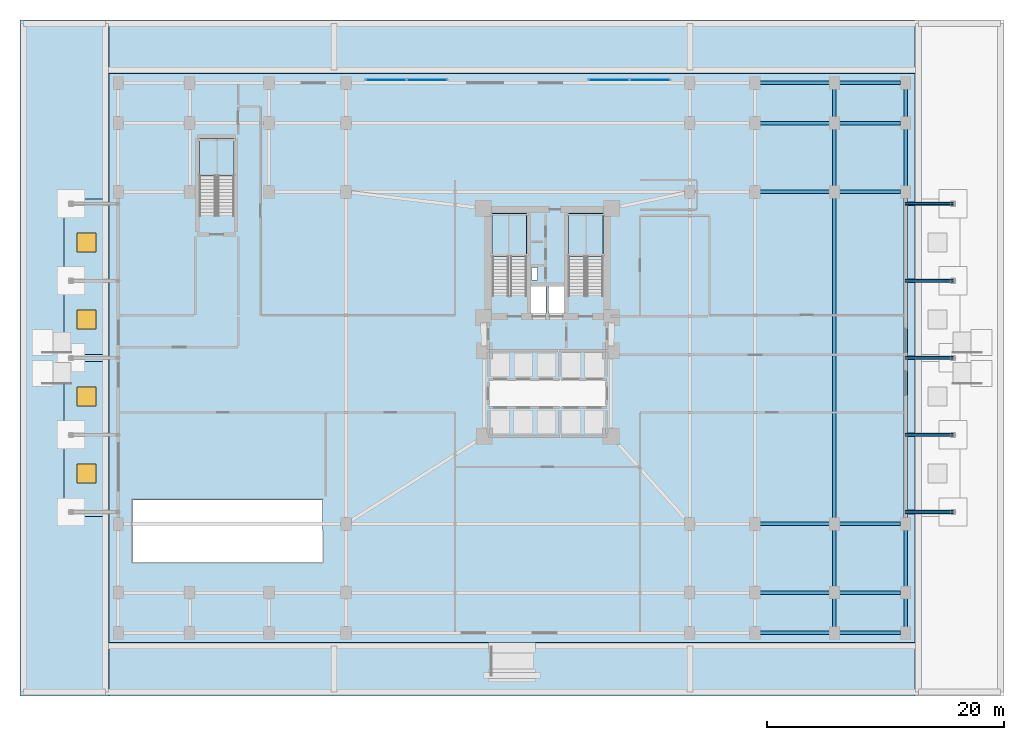
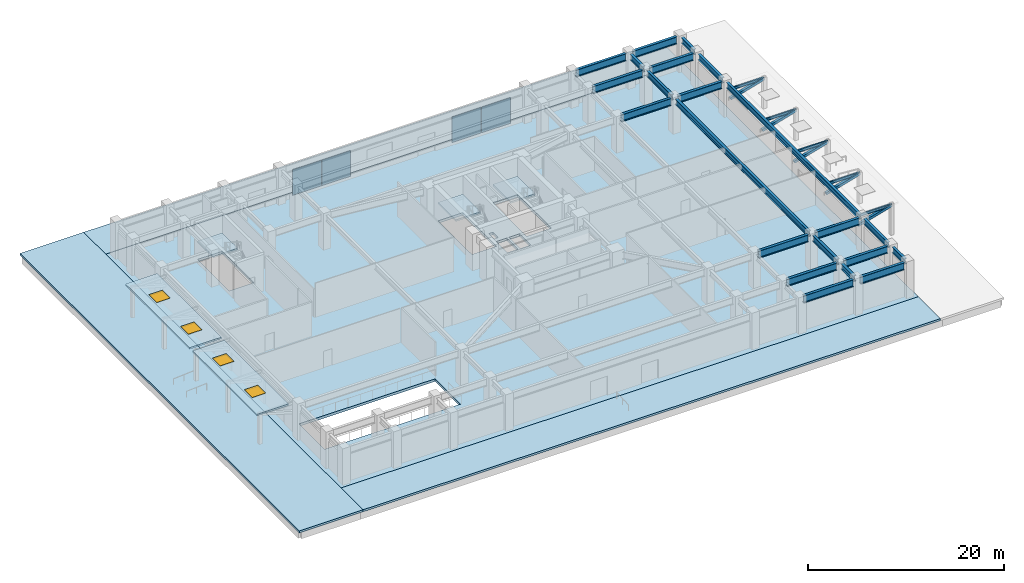
# One storey, part 12 of 23: 27 beams, 9 slabs, 5 members, 4 plates, 4 windows, 4 openings, 5 elements without a shape of their own.
"""IFC4 building model written with IfcOpenShell, lengths in metres."""

from ifc_helpers import new_model, si_unit, direction, frame, origin, origin_2d, place, context, subcontext, project, spatial, polyline, rectangle, hollow_rectangle, i_section, outline, extrude, source, transform, mapped, material, layer, layer_set, material_profile, profile_set, type_object, type_shapes, element, fill, aggregate, save


model = new_model("IFC4")

# Units and contexts
model_context = context("Model", 3, precision=1e-05, world=origin(), true_north=direction((0.0, 1.0)))
body_context = subcontext(model_context, "Body", "Model", "MODEL_VIEW")
ifc_project = project(units=[si_unit("LENGTHUNIT", "METRE"), si_unit("AREAUNIT", "SQUARE_METRE"), si_unit("VOLUMEUNIT", "CUBIC_METRE"), si_unit("PLANEANGLEUNIT", "RADIAN"), si_unit("MASSUNIT", "GRAM", prefix="KILO")], contexts=[model_context])

# Site, building, storey
site_placement = place(None, origin())
site = spatial("IfcSite", under=ifc_project, at=site_placement, CompositionType="ELEMENT")
building_placement = place(site_placement, origin())
building = spatial("IfcBuilding", under=site, at=building_placement, Name="Varnakorn Sky Granary", CompositionType="ELEMENT")
storey_placement = place(building_placement, origin())
storey = spatial("IfcBuildingStorey", under=building, at=storey_placement, Name="L00", CompositionType="ELEMENT", Elevation=0.0)

# Beams
ifc_material_1 = material(Name="Steel S355JR", Category="steel")
ifc_material_profile_1 = material_profile(ifc_material_1, i_section(OverallWidth=0.300048828125, OverallDepth=0.699951171875, WebThickness=0.01708984375, FlangeThickness=0.031982421875, at=origin_2d()), Name="HE 700 B")
ifc_profile_set_1 = profile_set([ifc_material_profile_1], Name="Steel S355JR")
beam_type_1 = type_object("IfcBeamType", Name="BM-PG-700", PredefinedType="T_BEAM", material=ifc_profile_set_1)
beam_1_placement = place(storey_placement, frame((27.199951171875, -22.780029296875, 3.929931640625), z_axis=(0.0, 1.0, 0.0), x_axis=(-1.0, 0.0, 0.0)))
element("IfcBeam", 1, at=beam_1_placement, inside=storey, type_object=beam_type_1, Name="Podium Y-Girder GY66 L00", PredefinedType="T_BEAM", context=body_context, shape_type="SweptSolid", body=[
    extrude(i_section(OverallWidth=0.300048828125, OverallDepth=0.699951171875, WebThickness=0.01708984375, FlangeThickness=0.031982421875, at=origin_2d()), origin(), (0.0, 0.0, 1.0), 2.56005859375),
])
beam_2_placement = place(storey_placement, frame((27.199951171875, -19.3798828125, 3.929931640625), z_axis=(0.0, 1.0, 0.0), x_axis=(-1.0, 0.0, 0.0)))
element("IfcBeam", 2, at=beam_2_placement, inside=storey, type_object=beam_type_1, Name="Podium Y-Girder GY67 L00", PredefinedType="T_BEAM", context=body_context, shape_type="SweptSolid", body=[
    extrude(i_section(OverallWidth=0.300048828125, OverallDepth=0.699951171875, WebThickness=0.01708984375, FlangeThickness=0.031982421875, at=origin_2d()), origin(), (0.0, 0.0, 1.0), 4.9599609375),
])
beam_3_placement = place(storey_placement, frame((27.199951171875, -13.580078125, 3.929931640625), z_axis=(0.0, 1.0, 0.0), x_axis=(-1.0, 0.0, 0.0)))
element("IfcBeam", 3, at=beam_3_placement, inside=storey, type_object=beam_type_1, Name="Podium Y-Girder GY68 L00", PredefinedType="T_BEAM", context=body_context, shape_type="SweptSolid", body=[
    extrude(i_section(OverallWidth=0.300048828125, OverallDepth=0.699951171875, WebThickness=0.01708984375, FlangeThickness=0.031982421875, at=origin_2d()), origin(), (0.0, 0.0, 1.0), 27.16015625),
])
beam_4_placement = place(storey_placement, frame((27.199951171875, 14.419921875, 3.929931640625), z_axis=(0.0, 1.0, 0.0), x_axis=(-1.0, 0.0, 0.0)))
element("IfcBeam", 4, at=beam_4_placement, inside=storey, type_object=beam_type_1, Name="Podium Y-Girder GY69 L00", PredefinedType="T_BEAM", context=body_context, shape_type="SweptSolid", body=[
    extrude(i_section(OverallWidth=0.300048828125, OverallDepth=0.699951171875, WebThickness=0.01708984375, FlangeThickness=0.031982421875, at=origin_2d()), origin(), (0.0, 0.0, 1.0), 4.9599609375),
])
for number, where, z_axis, x_axis, name in (
    (5, (27.199951171875, 20.219970703125, 3.929931640625), (0.0, 1.0, 0.0), (-1.0, 0.0, 0.0), "Podium Y-Girder GY70 L00"),
    (6, (33.199951171875, -22.780029296875, 3.929931640625), (0.0, 1.0, 0.0), (-1.0, 0.0, 0.0), "Podium Y-Girder GY71 L00"),
):
    element("IfcBeam", number, at=place(storey_placement, frame(where, z_axis=z_axis, x_axis=x_axis)), inside=storey, type_object=beam_type_1, Name=name, PredefinedType="T_BEAM", context=body_context, shape_type="SweptSolid", body=[
        extrude(i_section(OverallWidth=0.300048828125, OverallDepth=0.699951171875, WebThickness=0.01708984375, FlangeThickness=0.031982421875, at=origin_2d()), origin(), (0.0, 0.0, 1.0), 2.56005859375),
    ])
beam_5_placement = place(storey_placement, frame((33.199951171875, -19.3798828125, 3.929931640625), z_axis=(0.0, 1.0, 0.0), x_axis=(-1.0, 0.0, 0.0)))
element("IfcBeam", 7, at=beam_5_placement, inside=storey, type_object=beam_type_1, Name="Podium Y-Girder GY72 L00", PredefinedType="T_BEAM", context=body_context, shape_type="SweptSolid", body=[
    extrude(i_section(OverallWidth=0.300048828125, OverallDepth=0.699951171875, WebThickness=0.01708984375, FlangeThickness=0.031982421875, at=origin_2d()), origin(), (0.0, 0.0, 1.0), 4.9599609375),
])
beam_6_placement = place(storey_placement, frame((33.199951171875, -13.580078125, 3.929931640625), z_axis=(0.0, 1.0, 0.0), x_axis=(-1.0, 0.0, 0.0)))
element("IfcBeam", 8, at=beam_6_placement, inside=storey, type_object=beam_type_1, Name="Podium Y-Girder GY73 L00", PredefinedType="T_BEAM", context=body_context, shape_type="SweptSolid", body=[
    extrude(i_section(OverallWidth=0.300048828125, OverallDepth=0.699951171875, WebThickness=0.01708984375, FlangeThickness=0.031982421875, at=origin_2d()), origin(), (0.0, 0.0, 1.0), 27.16015625),
])
beam_7_placement = place(storey_placement, frame((33.199951171875, 14.419921875, 3.929931640625), z_axis=(0.0, 1.0, 0.0), x_axis=(-1.0, 0.0, 0.0)))
element("IfcBeam", 9, at=beam_7_placement, inside=storey, type_object=beam_type_1, Name="Podium Y-Girder GY74 L00", PredefinedType="T_BEAM", context=body_context, shape_type="SweptSolid", body=[
    extrude(i_section(OverallWidth=0.300048828125, OverallDepth=0.699951171875, WebThickness=0.01708984375, FlangeThickness=0.031982421875, at=origin_2d()), origin(), (0.0, 0.0, 1.0), 4.9599609375),
])
beam_8_placement = place(storey_placement, frame((33.199951171875, 20.219970703125, 3.929931640625), z_axis=(0.0, 1.0, 0.0), x_axis=(-1.0, 0.0, 0.0)))
element("IfcBeam", 10, at=beam_8_placement, inside=storey, type_object=beam_type_1, Name="Podium Y-Girder GY75 L00", PredefinedType="T_BEAM", context=body_context, shape_type="SweptSolid", body=[
    extrude(i_section(OverallWidth=0.300048828125, OverallDepth=0.699951171875, WebThickness=0.01708984375, FlangeThickness=0.031982421875, at=origin_2d()), origin(), (0.0, 0.0, 1.0), 2.56005859375),
])
ifc_material_profile_2 = material_profile(ifc_material_1, i_section(OverallWidth=0.300048828125, OverallDepth=0.89990234375, WebThickness=0.0185546875, FlangeThickness=0.034912109375, at=origin_2d()), Name="HE 900 B")
ifc_profile_set_2 = profile_set([ifc_material_profile_2], Name="Steel S355JR")
beam_type_2 = type_object("IfcBeamType", Name="BM-PG-900", PredefinedType="BEAM", material=ifc_profile_set_2)
beam_9_placement = place(storey_placement, frame((20.919921875, -23.199951171875, 3.830078125), z_axis=(1.0, 0.0, 0.0), x_axis=(0.0, 1.0, 0.0)))
element("IfcBeam", 11, at=beam_9_placement, inside=storey, type_object=beam_type_2, Name="Podium X-Girder GX06 L00", PredefinedType="BEAM", context=body_context, shape_type="SweptSolid", body=[
    extrude(i_section(OverallWidth=0.300048828125, OverallDepth=0.89990234375, WebThickness=0.0185546875, FlangeThickness=0.034912109375, at=origin_2d()), origin(), (0.0, 0.0, 1.0), 5.860107421875),
])
beam_10_placement = place(storey_placement, frame((27.6201171875, -23.199951171875, 3.830078125), z_axis=(1.0, 0.0, 0.0), x_axis=(0.0, 1.0, 0.0)))
element("IfcBeam", 12, at=beam_10_placement, inside=storey, type_object=beam_type_2, Name="Podium X-Girder GX07 L00", PredefinedType="BEAM", context=body_context, shape_type="SweptSolid", body=[
    extrude(i_section(OverallWidth=0.300048828125, OverallDepth=0.89990234375, WebThickness=0.0185546875, FlangeThickness=0.034912109375, at=origin_2d()), origin(), (0.0, 0.0, 1.0), 5.159912109375),
])
beam_11_placement = place(storey_placement, frame((20.919921875, -19.800048828125, 3.830078125), z_axis=(1.0, 0.0, 0.0), x_axis=(0.0, 1.0, 0.0)))
element("IfcBeam", 13, at=beam_11_placement, inside=storey, type_object=beam_type_2, Name="Podium X-Girder GX13 L00", PredefinedType="BEAM", context=body_context, shape_type="SweptSolid", body=[
    extrude(i_section(OverallWidth=0.300048828125, OverallDepth=0.89990234375, WebThickness=0.0185546875, FlangeThickness=0.034912109375, at=origin_2d()), origin(), (0.0, 0.0, 1.0), 5.860107421875),
])
beam_12_placement = place(storey_placement, frame((27.6201171875, -19.800048828125, 3.830078125), z_axis=(1.0, 0.0, 0.0), x_axis=(0.0, 1.0, 0.0)))
element("IfcBeam", 14, at=beam_12_placement, inside=storey, type_object=beam_type_2, Name="Podium X-Girder GX14 L00", PredefinedType="BEAM", context=body_context, shape_type="SweptSolid", body=[
    extrude(i_section(OverallWidth=0.300048828125, OverallDepth=0.89990234375, WebThickness=0.0185546875, FlangeThickness=0.034912109375, at=origin_2d()), origin(), (0.0, 0.0, 1.0), 5.159912109375),
])
beam_13_placement = place(storey_placement, frame((20.919921875, -14.0, 3.830078125), z_axis=(1.0, 0.0, 0.0), x_axis=(0.0, 1.0, 0.0)))
element("IfcBeam", 15, at=beam_13_placement, inside=storey, type_object=beam_type_2, Name="Podium X-Girder GX18 L00", PredefinedType="BEAM", context=body_context, shape_type="SweptSolid", body=[
    extrude(i_section(OverallWidth=0.300048828125, OverallDepth=0.89990234375, WebThickness=0.0185546875, FlangeThickness=0.034912109375, at=origin_2d()), origin(), (0.0, 0.0, 1.0), 5.860107421875),
])
beam_14_placement = place(storey_placement, frame((27.6201171875, -14.0, 3.830078125), z_axis=(1.0, 0.0, 0.0), x_axis=(0.0, 1.0, 0.0)))
element("IfcBeam", 16, at=beam_14_placement, inside=storey, type_object=beam_type_2, Name="Podium X-Girder GX19 L00", PredefinedType="BEAM", context=body_context, shape_type="SweptSolid", body=[
    extrude(i_section(OverallWidth=0.300048828125, OverallDepth=0.89990234375, WebThickness=0.0185546875, FlangeThickness=0.034912109375, at=origin_2d()), origin(), (0.0, 0.0, 1.0), 5.159912109375),
])
beam_15_placement = place(storey_placement, frame((20.919921875, 14.0, 3.830078125), z_axis=(1.0, 0.0, 0.0), x_axis=(0.0, 1.0, 0.0)))
element("IfcBeam", 17, at=beam_15_placement, inside=storey, type_object=beam_type_2, Name="Podium X-Girder GX24 L00", PredefinedType="BEAM", context=body_context, shape_type="SweptSolid", body=[
    extrude(i_section(OverallWidth=0.300048828125, OverallDepth=0.89990234375, WebThickness=0.0185546875, FlangeThickness=0.034912109375, at=origin_2d()), origin(), (0.0, 0.0, 1.0), 5.860107421875),
])
beam_16_placement = place(storey_placement, frame((27.6201171875, 14.0, 3.830078125), z_axis=(1.0, 0.0, 0.0), x_axis=(0.0, 1.0, 0.0)))
element("IfcBeam", 18, at=beam_16_placement, inside=storey, type_object=beam_type_2, Name="Podium X-Girder GX25 L00", PredefinedType="BEAM", context=body_context, shape_type="SweptSolid", body=[
    extrude(i_section(OverallWidth=0.300048828125, OverallDepth=0.89990234375, WebThickness=0.0185546875, FlangeThickness=0.034912109375, at=origin_2d()), origin(), (0.0, 0.0, 1.0), 5.159912109375),
])
beam_17_placement = place(storey_placement, frame((20.919921875, 19.800048828125, 3.830078125), z_axis=(1.0, 0.0, 0.0), x_axis=(0.0, 1.0, 0.0)))
element("IfcBeam", 19, at=beam_17_placement, inside=storey, type_object=beam_type_2, Name="Podium X-Girder GX31 L00", PredefinedType="BEAM", context=body_context, shape_type="SweptSolid", body=[
    extrude(i_section(OverallWidth=0.300048828125, OverallDepth=0.89990234375, WebThickness=0.0185546875, FlangeThickness=0.034912109375, at=origin_2d()), origin(), (0.0, 0.0, 1.0), 5.860107421875),
])
beam_18_placement = place(storey_placement, frame((27.6201171875, 19.800048828125, 3.830078125), z_axis=(1.0, 0.0, 0.0), x_axis=(0.0, 1.0, 0.0)))
element("IfcBeam", 20, at=beam_18_placement, inside=storey, type_object=beam_type_2, Name="Podium X-Girder GX32 L00", PredefinedType="BEAM", context=body_context, shape_type="SweptSolid", body=[
    extrude(i_section(OverallWidth=0.300048828125, OverallDepth=0.89990234375, WebThickness=0.0185546875, FlangeThickness=0.034912109375, at=origin_2d()), origin(), (0.0, 0.0, 1.0), 5.159912109375),
])
beam_19_placement = place(storey_placement, frame((20.919921875, 23.199951171875, 3.830078125), z_axis=(1.0, 0.0, 0.0), x_axis=(0.0, 1.0, 0.0)))
element("IfcBeam", 21, at=beam_19_placement, inside=storey, type_object=beam_type_2, Name="Podium X-Girder GX38 L00", PredefinedType="BEAM", context=body_context, shape_type="SweptSolid", body=[
    extrude(i_section(OverallWidth=0.300048828125, OverallDepth=0.89990234375, WebThickness=0.0185546875, FlangeThickness=0.034912109375, at=origin_2d()), origin(), (0.0, 0.0, 1.0), 5.860107421875),
])
beam_20_placement = place(storey_placement, frame((27.6201171875, 23.199951171875, 3.830078125), z_axis=(1.0, 0.0, 0.0), x_axis=(0.0, 1.0, 0.0)))
element("IfcBeam", 22, at=beam_20_placement, inside=storey, type_object=beam_type_2, Name="Podium X-Girder GX39 L00", PredefinedType="BEAM", context=body_context, shape_type="SweptSolid", body=[
    extrude(i_section(OverallWidth=0.300048828125, OverallDepth=0.89990234375, WebThickness=0.0185546875, FlangeThickness=0.034912109375, at=origin_2d()), origin(), (0.0, 0.0, 1.0), 5.159912109375),
])
ifc_material_profile_3 = material_profile(ifc_material_1, i_section(OverallWidth=0.159912109375, OverallDepth=0.330078125, WebThickness=0.007568359375, FlangeThickness=0.011474609375, at=origin_2d()), Name="IPE 330")
ifc_profile_set_3 = profile_set([ifc_material_profile_3], Name="Steel S355JR")
beam_type_3 = type_object("IfcBeamType", Name="BM-SEC-Z4", PredefinedType="BEAM", material=ifc_profile_set_3)
for number, where, z_axis, x_axis, name in (
    (23, (37.199951171875, -13.0, 3.68505859375), (-1.0, 0.0, 0.0), (0.0, -1.0, 0.0), "Plaza Canopy Tie Beam 6"),
    (24, (37.199951171875, -6.5, 3.68505859375), (-1.0, 0.0, 0.0), (0.0, -1.0, 0.0), "Plaza Canopy Tie Beam 7"),
    (25, (37.199951171875, 0.0, 3.68505859375), (-1.0, 0.0, 0.0), (0.0, -1.0, 0.0), "Plaza Canopy Tie Beam 8"),
    (26, (37.199951171875, 6.5, 3.68505859375), (-1.0, 0.0, 0.0), (0.0, -1.0, 0.0), "Plaza Canopy Tie Beam 9"),
    (27, (37.199951171875, 13.0, 3.68505859375), (-1.0, 0.0, 0.0), (0.0, -1.0, 0.0), "Plaza Canopy Tie Beam 10"),
):
    element("IfcBeam", number, at=place(storey_placement, frame(where, z_axis=z_axis, x_axis=x_axis)), inside=storey, type_object=beam_type_3, Name=name, PredefinedType="BEAM", context=body_context, shape_type="SweptSolid", body=[
        extrude(i_section(OverallWidth=0.159912109375, OverallDepth=0.330078125, WebThickness=0.007568359375, FlangeThickness=0.011474609375, at=origin_2d()), origin(), (0.0, 0.0, 1.0), 4.0),
    ])

# Members
ifc_material_profile_4 = material_profile(ifc_material_1, hollow_rectangle(XDim=0.300048828125, YDim=0.300048828125, WallThickness=0.01611328125, at=origin_2d()), Name="SHS 300x300x16")
ifc_profile_set_4 = profile_set([ifc_material_profile_4], Name="Steel S355JR")
member_type = type_object("IfcMemberType", Name="MB-CAN-300", PredefinedType="STRUT", material=ifc_profile_set_4)
for number, where, z_axis, x_axis, name in (
    (28, (33.199951171875, -13.0, 2.550048828125), (0.962020905777, 0.0, 0.272975780698), (0.0, 1.0, 0.0), "Plaza Canopy Raker Strut 6"),
    (29, (33.199951171875, -6.5, 2.550048828125), (0.962020905777, 0.0, 0.272975780698), (0.0, 1.0, 0.0), "Plaza Canopy Raker Strut 7"),
    (30, (33.199951171875, 0.0, 2.550048828125), (0.962020905777, 0.0, 0.272975780698), (0.0, 1.0, 0.0), "Plaza Canopy Raker Strut 8"),
    (31, (33.199951171875, 6.5, 2.550048828125), (0.962020905777, 0.0, 0.272975780698), (0.0, 1.0, 0.0), "Plaza Canopy Raker Strut 9"),
    (32, (33.199951171875, 13.0, 2.550048828125), (0.962020905777, 0.0, 0.272975780698), (0.0, 1.0, 0.0), "Plaza Canopy Raker Strut 10"),
):
    element("IfcMember", number, at=place(storey_placement, frame(where, z_axis=z_axis, x_axis=x_axis)), inside=storey, type_object=member_type, Name=name, PredefinedType="STRUT", context=body_context, shape_type="SweptSolid", body=[
        extrude(hollow_rectangle(XDim=0.300048828125, YDim=0.300048828125, WallThickness=0.01611328125, at=origin_2d()), origin(), (0.0, 0.0, 1.0), 4.157958984375),
    ])

# Stair, slab
ifc_material_2 = material(Name="Concrete C40/50", Category="concrete")
stair_type = type_object("IfcStairType", Name="ST-MAIN-ASSEMBLY", PredefinedType="HALF_TURN_STAIR", material=ifc_material_2)
stair_1_placement = place(storey_placement, origin())
stair_1 = element("IfcStair", 33, at=stair_1_placement, inside=storey, type_object=stair_type, Name="L00 Protected Exit Stair ST-1", PredefinedType="HALF_TURN_STAIR")
ifc_layer_1 = layer(ifc_material_2, 0.199951171875, Name="Concrete C40/50")
ifc_layer_set_1 = layer_set([ifc_layer_1], Name="Concrete C40/50")
slab_type_1 = type_object("IfcSlabType", Name="ST-MAIN-LAND", PredefinedType="LANDING", material=ifc_layer_set_1)
slab_1_placement = place(storey_placement, frame((0.0, 0.0, 2.10009765625)))
slab_1 = element("IfcSlab", 34, at=slab_1_placement, type_object=slab_type_1, Name="ST-1 landing 1", PredefinedType="LANDING", context=body_context, shape_type="SweptSolid", body=[
    extrude(outline(polyline([(1.239990234375, 8.56005859375), (1.239990234375, 12.179931640625), (-1.669921875, 12.179931640625), (-1.669921875, 8.56005859375), (1.239990234375, 8.56005859375)])), origin(), (0.0, 0.0, 1.0), 0.199951171875),
])
aggregate(stair_1, [slab_1])

stair_2_placement = place(storey_placement, origin())
stair_2 = element("IfcStair", 35, at=stair_2_placement, inside=storey, type_object=stair_type, Name="L00 Protected Exit Stair ST-2", PredefinedType="HALF_TURN_STAIR")
slab_2_placement = place(storey_placement, frame((0.0, 0.0, 2.10009765625)))
slab_2 = element("IfcSlab", 36, at=slab_2_placement, type_object=slab_type_1, Name="ST-2 landing 1", PredefinedType="LANDING", context=body_context, shape_type="SweptSolid", body=[
    extrude(outline(polyline([(7.679931640625, 8.56005859375), (7.679931640625, 12.179931640625), (4.77001953125, 12.179931640625), (4.77001953125, 8.56005859375), (7.679931640625, 8.56005859375)])), origin(), (0.0, 0.0, 1.0), 0.199951171875),
])
aggregate(stair_2, [slab_2])

stair_3_placement = place(storey_placement, origin())
stair_3 = element("IfcStair", 37, at=stair_3_placement, inside=storey, type_object=stair_type, Name="L00 Podium and Basement Protected Exit Stair ST-B3", PredefinedType="HALF_TURN_STAIR")
slab_3_placement = place(storey_placement, frame((0.0, 0.0, 2.10009765625)))
slab_3 = element("IfcSlab", 38, at=slab_3_placement, type_object=slab_type_1, Name="ST-B3 landing 1", PredefinedType="LANDING", context=body_context, shape_type="SweptSolid", body=[
    extrude(outline(polyline([(-23.449951171875, 15.340087890625), (-23.449951171875, 18.5), (-26.360107421875, 18.5), (-26.360107421875, 15.340087890625), (-23.449951171875, 15.340087890625)])), origin(), (0.0, 0.0, 1.0), 0.199951171875),
])
aggregate(stair_3, [slab_3])

# Slab, openings, windows
ifc_material_3 = material(Name="Concrete C50/60", Category="concrete")
ifc_layer_2 = layer(ifc_material_3, 0.199951171875, Name="Concrete C50/60")
ifc_layer_set_2 = layer_set([ifc_layer_2], Name="Concrete C50/60")
slab_type_2 = type_object("IfcSlabType", Name="ST-SL-CAN-200", PredefinedType="ROOF", material=ifc_layer_set_2)
slab_4_placement = place(storey_placement, frame((0.0, 0.0, 3.85009765625)))
slab_4 = element("IfcSlab", 39, at=slab_4_placement, inside=storey, type_object=slab_type_2, Name="Entrance Canopy Roof Slab 1-1", PredefinedType="ROOF", context=body_context, shape_type="SweptSolid", body=[
    extrude(outline(polyline([(-37.800048828125, -13.39990234375), (-34.050048828125, -13.39990234375), (-34.050048828125, -0.300048828125), (-37.800048828125, -0.300048828125), (-37.800048828125, -13.39990234375)])), origin(), (0.0, 0.0, 1.0), 0.199951171875),
])
opening_1_placement = place(slab_4_placement, frame((-35.89990234375, -9.75, 0.0)))
opening_1 = element("IfcOpeningElement", 40, at=opening_1_placement, cuts=slab_4, Name="Opening SK-01", PredefinedType="OPENING", context=body_context, shape_type="SweptSolid", body=[
    extrude(rectangle(XDim=1.60009765625, YDim=1.60009765625, at=origin_2d()), frame((0.0, 0.0, -0.010009765625)), (0.0, 0.0, 1.0), 0.219970703125),
])
opening_2_placement = place(slab_4_placement, frame((-35.89990234375, -3.25, 0.0)))
opening_2 = element("IfcOpeningElement", 41, at=opening_2_placement, cuts=slab_4, Name="Opening SK-01", PredefinedType="OPENING", context=body_context, shape_type="SweptSolid", body=[
    extrude(rectangle(XDim=1.60009765625, YDim=1.60009765625, at=origin_2d()), frame((0.0, 0.0, -0.010009765625)), (0.0, 0.0, 1.0), 0.219970703125),
])
ifc_material_4 = material(Name="Low-E Tinted Laminated Glass", Category="glass")
window_type = type_object("IfcWindowType", Name="SK-CAN-2200", PartitioningType="SINGLE_PANEL", PredefinedType="SKYLIGHT", material=ifc_material_4)
window_1_placement = place(opening_1_placement, frame((0.0, 0.0, 0.14990234375)))
window_1 = element("IfcWindow", 42, at=window_1_placement, inside=storey, type_object=window_type, Name="Entrance Canopy Glazed Skylight 1-1", OverallHeight=1.60009765625, OverallWidth=1.60009765625, PartitioningType="SINGLE_PANEL", PredefinedType="SKYLIGHT", context=body_context, shape_type="SweptSolid", body=[
    extrude(rectangle(XDim=1.60009765625, YDim=1.60009765625, at=origin_2d()), origin(), (0.0, 0.0, 1.0), 0.050048828125),
])
fill(opening_1, window_1)
window_2_placement = place(opening_2_placement, frame((0.0, 0.0, 0.14990234375)))
window_2 = element("IfcWindow", 43, at=window_2_placement, inside=storey, type_object=window_type, Name="Entrance Canopy Glazed Skylight 1-2", OverallHeight=1.60009765625, OverallWidth=1.60009765625, PartitioningType="SINGLE_PANEL", PredefinedType="SKYLIGHT", context=body_context, shape_type="SweptSolid", body=[
    extrude(rectangle(XDim=1.60009765625, YDim=1.60009765625, at=origin_2d()), origin(), (0.0, 0.0, 1.0), 0.050048828125),
])
fill(opening_2, window_2)

slab_5_placement = place(storey_placement, frame((0.0, 0.0, 3.85009765625)))
slab_5 = element("IfcSlab", 44, at=slab_5_placement, inside=storey, type_object=slab_type_2, Name="Entrance Canopy Roof Slab 1-2", PredefinedType="ROOF", context=body_context, shape_type="SweptSolid", body=[
    extrude(outline(polyline([(-37.800048828125, 0.300048828125), (-34.050048828125, 0.300048828125), (-34.050048828125, 13.39990234375), (-37.800048828125, 13.39990234375), (-37.800048828125, 0.300048828125)])), origin(), (0.0, 0.0, 1.0), 0.199951171875),
])
opening_3_placement = place(slab_5_placement, frame((-35.89990234375, 3.25, 0.0)))
opening_3 = element("IfcOpeningElement", 45, at=opening_3_placement, cuts=slab_5, Name="Opening SK-01", PredefinedType="OPENING", context=body_context, shape_type="SweptSolid", body=[
    extrude(rectangle(XDim=1.60009765625, YDim=1.60009765625, at=origin_2d()), frame((0.0, 0.0, -0.010009765625)), (0.0, 0.0, 1.0), 0.219970703125),
])
opening_4_placement = place(slab_5_placement, frame((-35.89990234375, 9.75, 0.0)))
opening_4 = element("IfcOpeningElement", 46, at=opening_4_placement, cuts=slab_5, Name="Opening SK-01", PredefinedType="OPENING", context=body_context, shape_type="SweptSolid", body=[
    extrude(rectangle(XDim=1.60009765625, YDim=1.60009765625, at=origin_2d()), frame((0.0, 0.0, -0.010009765625)), (0.0, 0.0, 1.0), 0.219970703125),
])
window_3_placement = place(opening_3_placement, frame((0.0, 0.0, 0.14990234375)))
window_3 = element("IfcWindow", 47, at=window_3_placement, inside=storey, type_object=window_type, Name="Entrance Canopy Glazed Skylight 1-3", OverallHeight=1.60009765625, OverallWidth=1.60009765625, PartitioningType="SINGLE_PANEL", PredefinedType="SKYLIGHT", context=body_context, shape_type="SweptSolid", body=[
    extrude(rectangle(XDim=1.60009765625, YDim=1.60009765625, at=origin_2d()), origin(), (0.0, 0.0, 1.0), 0.050048828125),
])
fill(opening_3, window_3)
window_4_placement = place(opening_4_placement, frame((0.0, 0.0, 0.14990234375)))
window_4 = element("IfcWindow", 48, at=window_4_placement, inside=storey, type_object=window_type, Name="Entrance Canopy Glazed Skylight 1-4", OverallHeight=1.60009765625, OverallWidth=1.60009765625, PartitioningType="SINGLE_PANEL", PredefinedType="SKYLIGHT", context=body_context, shape_type="SweptSolid", body=[
    extrude(rectangle(XDim=1.60009765625, YDim=1.60009765625, at=origin_2d()), origin(), (0.0, 0.0, 1.0), 0.050048828125),
])
fill(opening_4, window_4)

# Slabs
ifc_layer_3 = layer(ifc_material_3, 0.25, Name="Concrete C50/60")
ifc_layer_set_3 = layer_set([ifc_layer_3], Name="Concrete C50/60")
slab_type_3 = type_object("IfcSlabType", Name="ST-SL-PLAZA-250", PredefinedType="BASESLAB", material=ifc_layer_set_3)
slab_6_placement = place(storey_placement, frame((0.0, 0.0, -0.25)))
element("IfcSlab", 49, at=slab_6_placement, inside=storey, type_object=slab_type_3, Name="Street Plaza Paving Apron 1", PredefinedType="BASESLAB", context=body_context, shape_type="SweptSolid", body=[
    extrude(outline(polyline([(-41.5, -28.5), (-34.0, -28.5), (-34.0, 28.5), (-41.5, 28.5), (-41.5, -28.5)])), origin(), (0.0, 0.0, 1.0), 0.25),
])
slab_7_placement = place(storey_placement, frame((0.0, 0.0, -0.25)))
element("IfcSlab", 50, at=slab_7_placement, inside=storey, type_object=slab_type_3, Name="Street Plaza Paving Apron 3", PredefinedType="BASESLAB", context=body_context, shape_type="SweptSolid", body=[
    extrude(outline(polyline([(-34.0, -28.5), (34.0, -28.5), (34.0, -24.0), (-34.0, -24.0), (-34.0, -28.5)])), origin(), (0.0, 0.0, 1.0), 0.25),
])
slab_8_placement = place(storey_placement, frame((0.0, 0.0, -0.25)))
element("IfcSlab", 51, at=slab_8_placement, inside=storey, type_object=slab_type_3, Name="Street Plaza Paving Apron 4", PredefinedType="BASESLAB", context=body_context, shape_type="SweptSolid", body=[
    extrude(outline(polyline([(-34.0, 24.0), (34.0, 24.0), (34.0, 28.5), (-34.0, 28.5), (-34.0, 24.0)])), origin(), (0.0, 0.0, 1.0), 0.25),
])
ifc_layer_4 = layer(ifc_material_3, 0.320068359375, Name="Concrete C50/60")
ifc_layer_set_4 = layer_set([ifc_layer_4], Name="Concrete C50/60")
slab_type_4 = type_object("IfcSlabType", Name="ST-SL-POD-320", PredefinedType="FLOOR", material=ifc_layer_set_4)
slab_9_placement = place(storey_placement, frame((0.0, 0.0, -0.320068359375)))
element("IfcSlab", 52, at=slab_9_placement, inside=storey, type_object=slab_type_4, Name="Level L00 Structural Floor Slab", PredefinedType="FLOOR", context=body_context, shape_type="SweptSolid", body=[
    extrude(outline(polyline([(-34.0, -24.0), (34.0, -24.0), (34.0, 24.0), (-34.0, 24.0), (-34.0, -24.0)]), holes=[polyline([(1.239990234375, 5.27490234375), (1.239990234375, 12.179931640625), (-1.669921875, 12.179931640625), (-1.669921875, 5.27490234375), (1.239990234375, 5.27490234375)]), polyline([(7.679931640625, 5.27490234375), (7.679931640625, 12.179931640625), (4.77001953125, 12.179931640625), (4.77001953125, 5.27490234375), (7.679931640625, 5.27490234375)]), polyline([(-23.449951171875, 12.054931640625), (-23.449951171875, 18.5), (-26.360107421875, 18.5), (-26.360107421875, 12.054931640625), (-23.449951171875, 12.054931640625)]), polyline([(1.659912109375, 6.550048828125), (2.14990234375, 6.550048828125), (2.14990234375, 7.6201171875), (1.659912109375, 7.6201171875), (1.659912109375, 6.550048828125)]), polyline([(1.6201171875, 3.739990234375), (2.8798828125, 3.739990234375), (2.8798828125, 6.010009765625), (1.6201171875, 6.010009765625), (1.6201171875, 3.739990234375)]), polyline([(3.1201171875, 3.739990234375), (4.3798828125, 3.739990234375), (4.3798828125, 6.010009765625), (3.1201171875, 6.010009765625), (3.1201171875, 3.739990234375)]), polyline([(-32.0, -17.199951171875), (-16.0, -17.199951171875), (-16.0, -12.0), (-32.0, -12.0), (-32.0, -17.199951171875)])]), origin(), (0.0, 0.0, 1.0), 0.320068359375),
])

# Curtain wall, plates
ifc_material_5 = material(Name="Anodised Bronze Aluminium Alloy 6063-T6", Category="aluminium")
ifc_layer_5 = layer(ifc_material_5, 0.219970703125, Name="Anodised Bronze Aluminium Alloy 6063-T6")
ifc_layer_set_5 = layer_set([ifc_layer_5], Name="Anodised Bronze Aluminium Alloy 6063-T6")
curtain_wall_type = type_object("IfcCurtainWallType", Name="CW-POD-1", PredefinedType="USERDEFINED", material=ifc_layer_set_5)
curtain_wall_1_placement = place(storey_placement, origin())
curtain_wall_1 = element("IfcCurtainWall", 53, at=curtain_wall_1_placement, inside=storey, type_object=curtain_wall_type, Name="Unitised Curtain Wall CW1 CW-L00-P1", ObjectType="CURTAIN WALL", PredefinedType="USERDEFINED")
ifc_layer_6 = layer(ifc_material_4, 0.031982421875, Name="Low-E Tinted Laminated Glass")
ifc_layer_set_6 = layer_set([ifc_layer_6], Name="Low-E Tinted Laminated Glass")
plate_type = type_object("IfcPlateType", Name="CW-POD-1-PNL", PredefinedType="CURTAIN_PANEL")
shared_shape = source(origin(), body_context, "Body", "SweptSolid", [
    extrude(rectangle(XDim=3.387451171875, YDim=0.031982421875, at=origin_2d()), origin(), (0.0, 0.0, 1.0), 3.199951171875),
])
type_shapes(plate_type, [shared_shape])
plate_1_placement = place(storey_placement, frame((-10.63134765625, 23.449951171875, 0.0751953125), z_axis=(0.0, 0.0, 1.0), x_axis=(1.0, 0.0, 0.0)))
plate_1 = element("IfcPlate", 54, at=plate_1_placement, type_object=plate_type, material=ifc_layer_set_6, Name="CW1 vision glazing unit 1.1", PredefinedType="CURTAIN_PANEL", context=body_context, shape_type="MappedRepresentation", body=[
    mapped(shared_shape, transform((0.0, 0.0, 0.0), x_axis=(1.0, 0.0, 0.0), y_axis=(0.0, 1.0, 0.0), z_axis=(0.0, 0.0, 1.0), scale=1.0)),
])
plate_2_placement = place(storey_placement, frame((-7.168701171875, 23.449951171875, 0.0751953125), z_axis=(0.0, 0.0, 1.0), x_axis=(1.0, 0.0, 0.0)))
plate_2 = element("IfcPlate", 55, at=plate_2_placement, type_object=plate_type, material=ifc_layer_set_6, Name="CW1 vision glazing unit 2.1", PredefinedType="CURTAIN_PANEL", context=body_context, shape_type="MappedRepresentation", body=[
    mapped(shared_shape, transform((0.0, 0.0, 0.0), x_axis=(1.0, 0.0, 0.0), y_axis=(0.0, 1.0, 0.0), z_axis=(0.0, 0.0, 1.0), scale=1.0)),
])
aggregate(curtain_wall_1, [plate_1, plate_2])

curtain_wall_2_placement = place(storey_placement, origin())
curtain_wall_2 = element("IfcCurtainWall", 56, at=curtain_wall_2_placement, inside=storey, type_object=curtain_wall_type, Name="Unitised Curtain Wall CW1 CW-L00-P2", ObjectType="CURTAIN WALL", PredefinedType="USERDEFINED")
plate_3_placement = place(storey_placement, frame((8.168701171875, 23.449951171875, 0.0751953125), z_axis=(0.0, 0.0, 1.0), x_axis=(1.0, 0.0, 0.0)))
plate_3 = element("IfcPlate", 57, at=plate_3_placement, type_object=plate_type, material=ifc_layer_set_6, Name="CW1 vision glazing unit 1.1", PredefinedType="CURTAIN_PANEL", context=body_context, shape_type="MappedRepresentation", body=[
    mapped(shared_shape, transform((0.0, 0.0, 0.0), x_axis=(1.0, 0.0, 0.0), y_axis=(0.0, 1.0, 0.0), z_axis=(0.0, 0.0, 1.0), scale=1.0)),
])
plate_4_placement = place(storey_placement, frame((11.63134765625, 23.449951171875, 0.0751953125), z_axis=(0.0, 0.0, 1.0), x_axis=(1.0, 0.0, 0.0)))
plate_4 = element("IfcPlate", 58, at=plate_4_placement, type_object=plate_type, material=ifc_layer_set_6, Name="CW1 vision glazing unit 2.1", PredefinedType="CURTAIN_PANEL", context=body_context, shape_type="MappedRepresentation", body=[
    mapped(shared_shape, transform((0.0, 0.0, 0.0), x_axis=(1.0, 0.0, 0.0), y_axis=(0.0, 1.0, 0.0), z_axis=(0.0, 0.0, 1.0), scale=1.0)),
])
aggregate(curtain_wall_2, [plate_3, plate_4])

save(model, "model.ifc")
